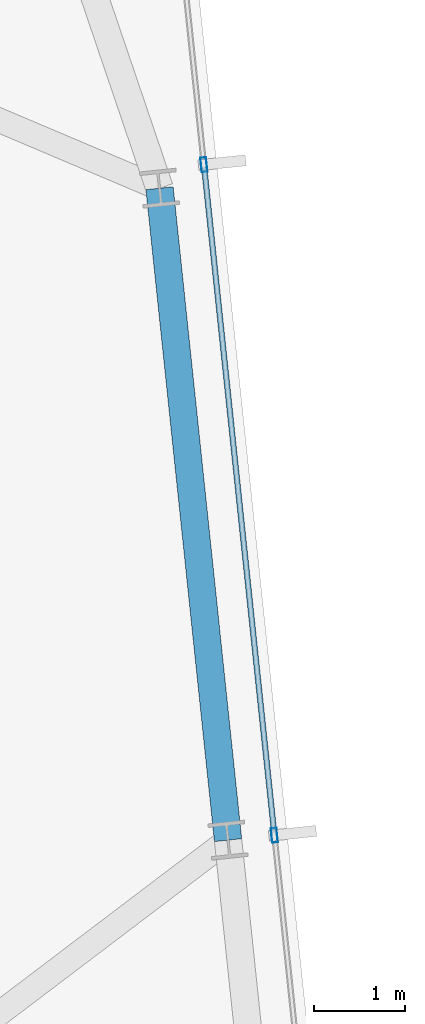
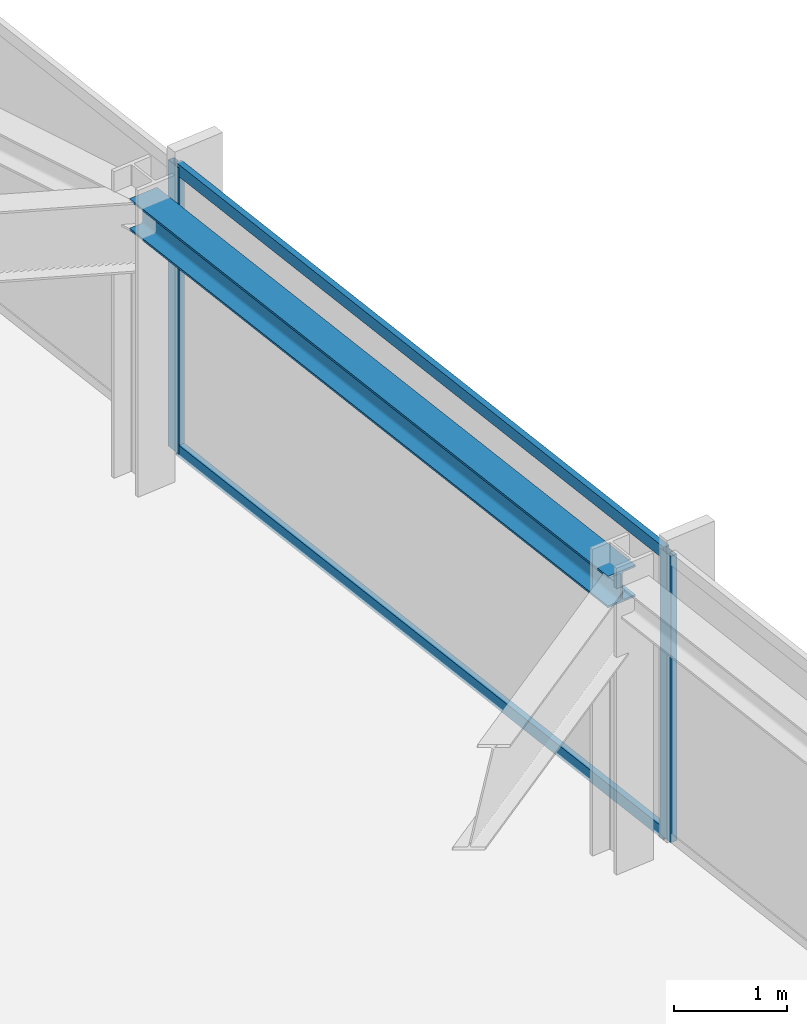
# One storey, part 19 of 33: 4 members, 1 beam, 1 element without a shape of its own.
"""IFC4 building model written with IfcOpenShell, lengths in metres."""

from ifc_helpers import new_model, si_unit, direction, frame, origin, origin_2d, place, context, subcontext, project, spatial, hollow_rectangle, i_section, extrude, material, material_profile, profile_set, type_object, element, aggregate, save


model = new_model("IFC4")

# Units and contexts
model_context = context("Model", 3, precision=1e-05, world=origin(), true_north=direction((0.0, 1.0)))
body_context = subcontext(model_context, "Body", "Model", "MODEL_VIEW")
ifc_project = project(units=[si_unit("LENGTHUNIT", "METRE"), si_unit("AREAUNIT", "SQUARE_METRE"), si_unit("VOLUMEUNIT", "CUBIC_METRE"), si_unit("PLANEANGLEUNIT", "RADIAN"), si_unit("MASSUNIT", "GRAM", prefix="KILO")], contexts=[model_context])

# Site, building, storey
site_placement = place(None, origin())
site = spatial("IfcSite", under=ifc_project, at=site_placement, CompositionType="ELEMENT")
building_placement = place(site_placement, origin())
building = spatial("IfcBuilding", under=site, at=building_placement, Name="Yelkora Congress Tower", CompositionType="ELEMENT")
storey_placement = place(building_placement, frame((0.0, 0.0, 237.5)))
storey = spatial("IfcBuildingStorey", under=building, at=storey_placement, Name="L66", CompositionType="ELEMENT", Elevation=237.5)

# Beam
ifc_material_1 = material(Name="Steel S355J2", Category="steel")
ifc_material_profile_1 = material_profile(ifc_material_1, i_section(OverallWidth=0.300048828125, OverallDepth=0.340087890625, WebThickness=0.011962890625, FlangeThickness=0.021484375, FilletRadius=0.027099609375, at=origin_2d()), Name="HEB 340")
ifc_profile_set_1 = profile_set([ifc_material_profile_1], Name="Steel S355J2")
beam_type = type_object("IfcBeamType", Name="BM-SPAN-HEB340", PredefinedType="SPANDREL", material=ifc_profile_set_1)
beam_placement = place(storey_placement, frame((69.60400390625, 34.296142578125, 2.909912109375), z_axis=(-0.104528914631, 0.994521847928, 0.0), x_axis=(-0.994521847928, -0.104528914631, 0.0)))
element("IfcBeam", 1, at=beam_placement, inside=storey, type_object=beam_type, Name="L66 Perimeter Beam 11", PredefinedType="SPANDREL", context=body_context, shape_type="SweptSolid", body=[
    extrude(i_section(OverallWidth=0.300048828125, OverallDepth=0.340087890625, WebThickness=0.011962890625, FlangeThickness=0.021484375, FilletRadius=0.027099609375, at=origin_2d()), origin(), (0.0, 0.0, 1.0), 7.175048828125),
])

# Curtain wall, members
ifc_material_2 = material(Name="Anodised aluminium and insulated glass", Category="aluminium")
curtain_wall_type = type_object("IfcCurtainWallType", Name="CW-SYS-B4", PredefinedType="NOTDEFINED", material=ifc_material_2)
curtain_wall_placement = place(storey_placement, origin())
curtain_wall = element("IfcCurtainWall", 2, at=curtain_wall_placement, inside=storey, type_object=curtain_wall_type, Name="L66 Unitised Curtain Wall 15", PredefinedType="NOTDEFINED")
ifc_material_3 = material(Name="Anodised aluminium 6063-T6", Category="aluminium")
ifc_material_profile_2 = material_profile(ifc_material_3, hollow_rectangle(XDim=0.06494140625, YDim=0.159912109375, WallThickness=0.00390625, at=origin_2d()), Name="ALU 65x160x4")
ifc_profile_set_2 = profile_set([ifc_material_profile_2], Name="Anodised aluminium 6063-T6")
member_type_1 = type_object("IfcMemberType", Name="MEM-ML-B4", PredefinedType="MULLION", material=ifc_profile_set_2)
member_1_placement = place(storey_placement, frame((69.33984375, 41.68896484375, 0.0), z_axis=(0.0, 0.0, 1.0), x_axis=(0.994522182968, 0.104525726898, 0.0)))
member_1 = element("IfcMember", 3, at=member_1_placement, type_object=member_type_1, Name="CW-B4 mullion 2", PredefinedType="MULLION", context=body_context, shape_type="SweptSolid", body=[
    extrude(hollow_rectangle(XDim=0.06494140625, YDim=0.159912109375, WallThickness=0.00390625, at=origin_2d()), origin(), (0.0, 0.0, 1.0), 3.080078125),
])
member_2_placement = place(storey_placement, frame((70.111083984375, 34.349365234375, 0.0), z_axis=(0.0, 0.0, 1.0), x_axis=(0.994522182968, 0.104525726898, 0.0)))
member_2 = element("IfcMember", 4, at=member_2_placement, type_object=member_type_1, Name="CW-B4 mullion 3", PredefinedType="MULLION", context=body_context, shape_type="SweptSolid", body=[
    extrude(hollow_rectangle(XDim=0.06494140625, YDim=0.159912109375, WallThickness=0.00390625, at=origin_2d()), origin(), (0.0, 0.0, 1.0), 3.080078125),
])
ifc_material_profile_3 = material_profile(ifc_material_3, hollow_rectangle(XDim=0.06005859375, YDim=0.1298828125, WallThickness=0.00390625, at=origin_2d()), Name="ALU 60x130x4")
ifc_profile_set_3 = profile_set([ifc_material_profile_3], Name="Anodised aluminium 6063-T6")
member_type_2 = type_object("IfcMemberType", Name="MEM-TR-B4", PredefinedType="USERDEFINED", material=ifc_profile_set_3)
member_3_placement = place(storey_placement, frame((69.34326171875, 41.65673828125, 0.030029296875), z_axis=(0.104531896307, -0.994521534535, 0.0), x_axis=(0.994521534535, 0.104531896307, 0.0)))
member_3 = element("IfcMember", 5, at=member_3_placement, type_object=member_type_2, Name="CW-B4 transom 2.1", ObjectType="TRANSOM", PredefinedType="USERDEFINED", context=body_context, shape_type="SweptSolid", body=[
    extrude(hollow_rectangle(XDim=0.06005859375, YDim=0.1298828125, WallThickness=0.00390625, at=origin_2d()), origin(), (0.0, 0.0, 1.0), 7.31494140625),
])
member_4_placement = place(storey_placement, frame((69.34326171875, 41.65673828125, 3.050048828125), z_axis=(0.104531896307, -0.994521534535, 0.0), x_axis=(0.994521534535, 0.104531896307, 0.0)))
member_4 = element("IfcMember", 6, at=member_4_placement, type_object=member_type_2, Name="CW-B4 transom 2.2", ObjectType="TRANSOM", PredefinedType="USERDEFINED", context=body_context, shape_type="SweptSolid", body=[
    extrude(hollow_rectangle(XDim=0.06005859375, YDim=0.1298828125, WallThickness=0.00390625, at=origin_2d()), origin(), (0.0, 0.0, 1.0), 7.31494140625),
])
aggregate(curtain_wall, [member_1, member_2, member_3, member_4])

save(model, "model.ifc")
